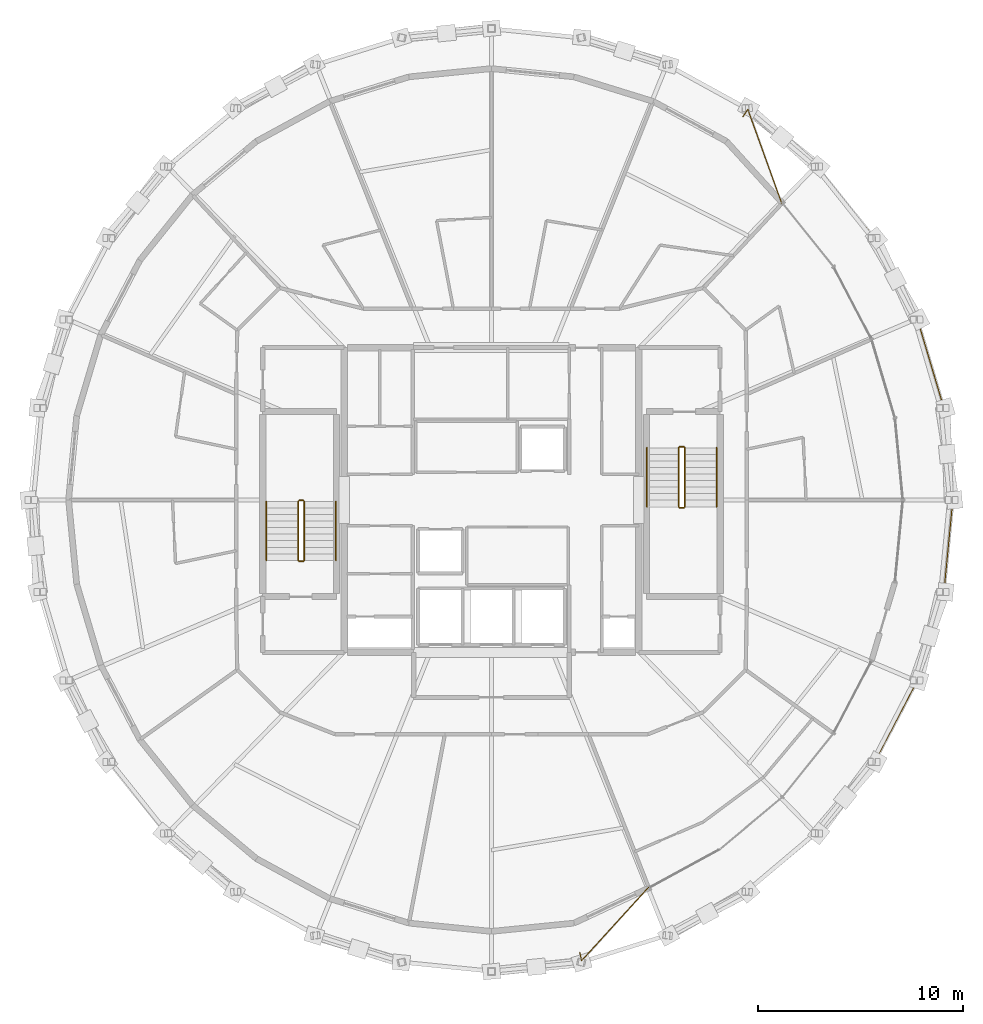
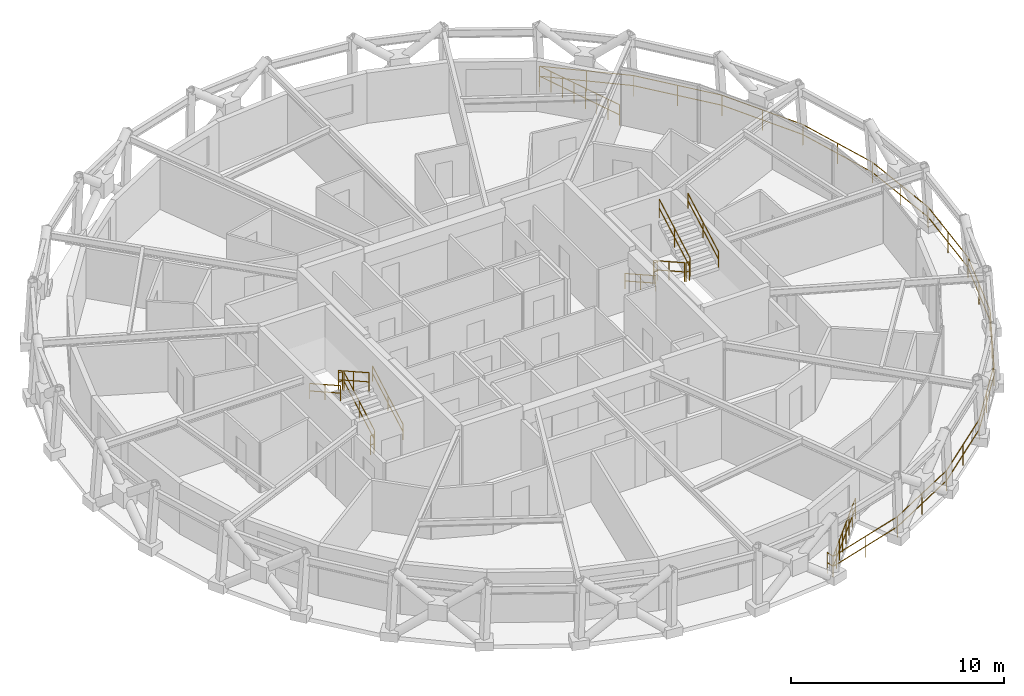
# One storey, part 15 of 15: 15 railings.
"""IFC4 building model written with IfcOpenShell, lengths in metres."""

from ifc_helpers import new_model, si_unit, direction, frame, origin, origin_2d, place, context, subcontext, project, spatial, circle, extrude, material, type_object, element, save


model = new_model("IFC4")

# Units and contexts
model_context = context("Model", 3, precision=1e-05, world=origin(), true_north=direction((0.0, 1.0)))
body_context = subcontext(model_context, "Body", "Model", "MODEL_VIEW")
ifc_project = project(units=[si_unit("LENGTHUNIT", "METRE"), si_unit("AREAUNIT", "SQUARE_METRE"), si_unit("VOLUMEUNIT", "CUBIC_METRE"), si_unit("PLANEANGLEUNIT", "RADIAN"), si_unit("MASSUNIT", "GRAM", prefix="KILO")], contexts=[model_context])

# Site, building, storey
site_placement = place(None, origin())
site = spatial("IfcSite", under=ifc_project, at=site_placement, CompositionType="ELEMENT")
building_placement = place(site_placement, origin())
building = spatial("IfcBuilding", under=site, at=building_placement, Name="Veldorina Hangang Commons", CompositionType="ELEMENT")
storey_placement = place(building_placement, frame((0.0, 0.0, 254.39990234375)))
storey = spatial("IfcBuildingStorey", under=building, at=storey_placement, Name="L66", CompositionType="ELEMENT", Elevation=254.39990234375)

# Railings
ifc_material_1 = material(Name="Glass Laminated Safety Balustrade", Category="glass")
railing_type_1 = type_object("IfcRailingType", Name="RL-BAL-LOGGIA", PredefinedType="BALUSTRADE", material=ifc_material_1)
railing_1_placement = place(storey_placement, frame((36.319091796875, 1.887939453125, 0.0)))
element("IfcRailing", 1, at=railing_1_placement, inside=storey, type_object=railing_type_1, Name="L66 sky-garden loggia end balustrade A", PredefinedType="BALUSTRADE", context=body_context, shape_type="SweptSolid", body=[
    extrude(circle(Radius=0.02392578125, at=origin_2d()), frame((0.0, 0.0, 1.17578125), z_axis=(0.191305422637, -0.981530557481, 0.0), x_axis=(0.981530557481, 0.191305422637, 0.0)), (0.0, 0.0, 1.0), 0.419921875),
    extrude(circle(Radius=0.02392578125, at=origin_2d()), frame((0.0, 0.0, 0.60009765625), z_axis=(0.191305422637, -0.981530557481, 0.0), x_axis=(0.981530557481, 0.191305422637, 0.0)), (0.0, 0.0, 1.0), 0.419921875),
    extrude(circle(Radius=0.02392578125, at=origin_2d()), frame((0.080322265625, -0.412109375, 1.17578125), z_axis=(0.673819881221, 0.738895640583, 0.0), x_axis=(-0.738895640583, 0.673819881221, 0.0)), (0.0, 0.0, 1.0), 4.86962890625),
    extrude(circle(Radius=0.02392578125, at=origin_2d()), frame((0.080322265625, -0.412109375, 0.60009765625), z_axis=(0.673819881221, 0.738895640583, 0.0), x_axis=(-0.738895640583, 0.673819881221, 0.0)), (0.0, 0.0, 1.0), 4.86962890625),
    extrude(circle(Radius=0.02099609375, at=origin_2d()), origin(), (0.0, 0.0, 1.0), 1.15185546875),
    extrude(circle(Radius=0.02099609375, at=origin_2d()), frame((0.080322265625, -0.412109375, 0.0)), (0.0, 0.0, 1.0), 1.15185546875),
    extrude(circle(Radius=0.02099609375, at=origin_2d()), frame((0.549072265625, 0.101806640625, 0.0)), (0.0, 0.0, 1.0), 1.15185546875),
    extrude(circle(Radius=0.02099609375, at=origin_2d()), frame((1.017822265625, 0.615966796875, 0.0)), (0.0, 0.0, 1.0), 1.15185546875),
    extrude(circle(Radius=0.02099609375, at=origin_2d()), frame((1.486572265625, 1.1298828125, 0.0)), (0.0, 0.0, 1.0), 1.15185546875),
    extrude(circle(Radius=0.02099609375, at=origin_2d()), frame((1.955322265625, 1.64404296875, 0.0)), (0.0, 0.0, 1.0), 1.15185546875),
    extrude(circle(Radius=0.02099609375, at=origin_2d()), frame((2.424072265625, 2.157958984375, 0.0)), (0.0, 0.0, 1.0), 1.15185546875),
    extrude(circle(Radius=0.02099609375, at=origin_2d()), frame((2.892822265625, 2.672119140625, 0.0)), (0.0, 0.0, 1.0), 1.15185546875),
    extrude(circle(Radius=0.02099609375, at=origin_2d()), frame((3.361572265625, 3.18603515625, 0.0)), (0.0, 0.0, 1.0), 1.15185546875),
])
railing_2_placement = place(storey_placement, frame((44.298095703125, 42.74365234375, 0.0)))
element("IfcRailing", 2, at=railing_2_placement, inside=storey, type_object=railing_type_1, Name="L66 sky-garden loggia end balustrade B", PredefinedType="BALUSTRADE", context=body_context, shape_type="SweptSolid", body=[
    extrude(circle(Radius=0.02392578125, at=origin_2d()), frame((0.0, 0.0, 1.17578125), z_axis=(0.548376961849, 0.836231252533, 0.0), x_axis=(-0.836231252533, 0.548376961849, 0.0)), (0.0, 0.0, 1.0), 0.419921875),
    extrude(circle(Radius=0.02392578125, at=origin_2d()), frame((0.0, 0.0, 0.60009765625), z_axis=(0.548376961849, 0.836231252533, 0.0), x_axis=(-0.836231252533, 0.548376961849, 0.0)), (0.0, 0.0, 1.0), 0.419921875),
    extrude(circle(Radius=0.02392578125, at=origin_2d()), frame((0.230224609375, 0.35107421875, 1.17578125), z_axis=(0.339417972265, -0.94063565747, 0.0), x_axis=(0.94063565747, 0.339417972265, 0.0)), (0.0, 0.0, 1.0), 4.900634765625),
    extrude(circle(Radius=0.02392578125, at=origin_2d()), frame((0.230224609375, 0.35107421875, 0.60009765625), z_axis=(0.339417972265, -0.94063565747, 0.0), x_axis=(0.94063565747, 0.339417972265, 0.0)), (0.0, 0.0, 1.0), 4.900634765625),
    extrude(circle(Radius=0.02099609375, at=origin_2d()), origin(), (0.0, 0.0, 1.0), 1.15185546875),
    extrude(circle(Radius=0.02099609375, at=origin_2d()), frame((0.230224609375, 0.35107421875, 0.0)), (0.0, 0.0, 1.0), 1.15185546875),
    extrude(circle(Radius=0.02099609375, at=origin_2d()), frame((0.4677734375, -0.307373046875, 0.0)), (0.0, 0.0, 1.0), 1.15185546875),
    extrude(circle(Radius=0.02099609375, at=origin_2d()), frame((0.70556640625, -0.966064453125, 0.0)), (0.0, 0.0, 1.0), 1.15185546875),
    extrude(circle(Radius=0.02099609375, at=origin_2d()), frame((0.943115234375, -1.62451171875, 0.0)), (0.0, 0.0, 1.0), 1.15185546875),
    extrude(circle(Radius=0.02099609375, at=origin_2d()), frame((1.1806640625, -2.282958984375, 0.0)), (0.0, 0.0, 1.0), 1.15185546875),
    extrude(circle(Radius=0.02099609375, at=origin_2d()), frame((1.418212890625, -2.94140625, 0.0)), (0.0, 0.0, 1.0), 1.15185546875),
    extrude(circle(Radius=0.02099609375, at=origin_2d()), frame((1.656005859375, -3.60009765625, 0.0)), (0.0, 0.0, 1.0), 1.15185546875),
    extrude(circle(Radius=0.02099609375, at=origin_2d()), frame((1.8935546875, -4.258544921875, 0.0)), (0.0, 0.0, 1.0), 1.15185546875),
])
railing_3_placement = place(storey_placement, frame((36.3994140625, 1.475830078125, 0.0)))
element("IfcRailing", 3, at=railing_3_placement, inside=storey, type_object=railing_type_1, Name="L66 sky-garden loggia outer balustrade", PredefinedType="BALUSTRADE", context=body_context, shape_type="SweptSolid", body=[
    extrude(circle(Radius=0.02392578125, at=origin_2d()), frame((0.0, 0.0, 1.17578125), z_axis=(0.955448168361, 0.295158936128, 0.0), x_axis=(-0.295158936128, 0.955448168361, 0.0)), (0.0, 0.0, 1.0), 4.427734375),
    extrude(circle(Radius=0.02392578125, at=origin_2d()), frame((0.0, 0.0, 0.60009765625), z_axis=(0.955448168361, 0.295158936128, 0.0), x_axis=(-0.295158936128, 0.955448168361, 0.0)), (0.0, 0.0, 1.0), 4.427734375),
    extrude(circle(Radius=0.02392578125, at=origin_2d()), frame((4.23046875, 1.306884765625, 1.17578125), z_axis=(0.878261058098, 0.478181465375, 0.0), x_axis=(-0.478181465375, 0.878261058098, 0.0)), (0.0, 0.0, 1.0), 4.438720703125),
    extrude(circle(Radius=0.02392578125, at=origin_2d()), frame((4.23046875, 1.306884765625, 0.60009765625), z_axis=(0.878261058098, 0.478181465375, 0.0), x_axis=(-0.478181465375, 0.878261058098, 0.0)), (0.0, 0.0, 1.0), 4.438720703125),
    extrude(circle(Radius=0.02392578125, at=origin_2d()), frame((8.12890625, 3.429443359375, 1.17578125), z_axis=(0.767258818636, 0.641337590685, 0.0), x_axis=(-0.641337590685, 0.767258818636, 0.0)), (0.0, 0.0, 1.0), 4.45361328125),
    extrude(circle(Radius=0.02392578125, at=origin_2d()), frame((8.12890625, 3.429443359375, 0.60009765625), z_axis=(0.767258818636, 0.641337590685, 0.0), x_axis=(-0.641337590685, 0.767258818636, 0.0)), (0.0, 0.0, 1.0), 4.45361328125),
    extrude(circle(Radius=0.02392578125, at=origin_2d()), frame((11.5458984375, 6.28564453125, 1.17578125), z_axis=(0.627455594767, 0.778652346427, 0.0), x_axis=(-0.778652346427, 0.627455594767, 0.0)), (0.0, 0.0, 1.0), 4.469482421875),
    extrude(circle(Radius=0.02392578125, at=origin_2d()), frame((11.5458984375, 6.28564453125, 0.60009765625), z_axis=(0.627455594767, 0.778652346427, 0.0), x_axis=(-0.778652346427, 0.627455594767, 0.0)), (0.0, 0.0, 1.0), 4.469482421875),
    extrude(circle(Radius=0.02392578125, at=origin_2d()), frame((14.350341796875, 9.765869140625, 1.17578125), z_axis=(0.464682358604, 0.885477444999, 0.0), x_axis=(-0.885477444999, 0.464682358604, 0.0)), (0.0, 0.0, 1.0), 4.483642578125),
    extrude(circle(Radius=0.02392578125, at=origin_2d()), frame((14.350341796875, 9.765869140625, 0.60009765625), z_axis=(0.464682358604, 0.885477444999, 0.0), x_axis=(-0.885477444999, 0.464682358604, 0.0)), (0.0, 0.0, 1.0), 4.483642578125),
    extrude(circle(Radius=0.02392578125, at=origin_2d()), frame((16.433837890625, 13.736083984375, 1.17578125), z_axis=(0.285463849791, 0.958389477437, 0.0), x_axis=(-0.958389477437, 0.285463849791, 0.0)), (0.0, 0.0, 1.0), 4.4951171875),
    extrude(circle(Radius=0.02392578125, at=origin_2d()), frame((16.433837890625, 13.736083984375, 0.60009765625), z_axis=(0.285463849791, 0.958389477437, 0.0), x_axis=(-0.958389477437, 0.285463849791, 0.0)), (0.0, 0.0, 1.0), 4.4951171875),
    extrude(circle(Radius=0.02392578125, at=origin_2d()), frame((17.717041015625, 18.044189453125, 1.17578125), z_axis=(0.096227116174, 0.995359403488, 0.0), x_axis=(-0.995359403488, 0.096227116174, 0.0)), (0.0, 0.0, 1.0), 4.5009765625),
    extrude(circle(Radius=0.02392578125, at=origin_2d()), frame((17.717041015625, 18.044189453125, 0.60009765625), z_axis=(0.096227116174, 0.995359403488, 0.0), x_axis=(-0.995359403488, 0.096227116174, 0.0)), (0.0, 0.0, 1.0), 4.5009765625),
    extrude(circle(Radius=0.02392578125, at=origin_2d()), frame((18.150146484375, 22.524169921875, 1.17578125), z_axis=(-0.096227116174, 0.995359403488, 0.0), x_axis=(-0.995359403488, -0.096227116174, 0.0)), (0.0, 0.0, 1.0), 4.5009765625),
    extrude(circle(Radius=0.02392578125, at=origin_2d()), frame((18.150146484375, 22.524169921875, 0.60009765625), z_axis=(-0.096227116174, 0.995359403488, 0.0), x_axis=(-0.995359403488, -0.096227116174, 0.0)), (0.0, 0.0, 1.0), 4.5009765625),
    extrude(circle(Radius=0.02392578125, at=origin_2d()), frame((17.717041015625, 27.004150390625, 1.17578125), z_axis=(-0.285463849791, 0.958389477437, 0.0), x_axis=(-0.958389477437, -0.285463849791, 0.0)), (0.0, 0.0, 1.0), 4.4951171875),
    extrude(circle(Radius=0.02392578125, at=origin_2d()), frame((17.717041015625, 27.004150390625, 0.60009765625), z_axis=(-0.285463849791, 0.958389477437, 0.0), x_axis=(-0.958389477437, -0.285463849791, 0.0)), (0.0, 0.0, 1.0), 4.4951171875),
    extrude(circle(Radius=0.02392578125, at=origin_2d()), frame((16.433837890625, 31.312255859375, 1.17578125), z_axis=(-0.464682358604, 0.885477444999, 0.0), x_axis=(-0.885477444999, -0.464682358604, 0.0)), (0.0, 0.0, 1.0), 4.483642578125),
    extrude(circle(Radius=0.02392578125, at=origin_2d()), frame((16.433837890625, 31.312255859375, 0.60009765625), z_axis=(-0.464682358604, 0.885477444999, 0.0), x_axis=(-0.885477444999, -0.464682358604, 0.0)), (0.0, 0.0, 1.0), 4.483642578125),
    extrude(circle(Radius=0.02392578125, at=origin_2d()), frame((14.350341796875, 35.282470703125, 1.17578125), z_axis=(-0.627455594767, 0.778652346427, 0.0), x_axis=(-0.778652346427, -0.627455594767, 0.0)), (0.0, 0.0, 1.0), 4.469482421875),
    extrude(circle(Radius=0.02392578125, at=origin_2d()), frame((14.350341796875, 35.282470703125, 0.60009765625), z_axis=(-0.627455594767, 0.778652346427, 0.0), x_axis=(-0.778652346427, -0.627455594767, 0.0)), (0.0, 0.0, 1.0), 4.469482421875),
    extrude(circle(Radius=0.02392578125, at=origin_2d()), frame((11.5458984375, 38.7626953125, 1.17578125), z_axis=(-0.767258818636, 0.641337590685, 0.0), x_axis=(-0.641337590685, -0.767258818636, 0.0)), (0.0, 0.0, 1.0), 4.45361328125),
    extrude(circle(Radius=0.02392578125, at=origin_2d()), frame((11.5458984375, 38.7626953125, 0.60009765625), z_axis=(-0.767258818636, 0.641337590685, 0.0), x_axis=(-0.641337590685, -0.767258818636, 0.0)), (0.0, 0.0, 1.0), 4.45361328125),
    extrude(circle(Radius=0.02099609375, at=origin_2d()), origin(), (0.0, 0.0, 1.0), 1.15185546875),
    extrude(circle(Radius=0.02099609375, at=origin_2d()), frame((2.115234375, 0.6533203125, 0.0)), (0.0, 0.0, 1.0), 1.15185546875),
    extrude(circle(Radius=0.02099609375, at=origin_2d()), frame((4.23046875, 1.306884765625, 0.0)), (0.0, 0.0, 1.0), 1.15185546875),
    extrude(circle(Radius=0.02099609375, at=origin_2d()), frame((6.1796875, 2.3681640625, 0.0)), (0.0, 0.0, 1.0), 1.15185546875),
    extrude(circle(Radius=0.02099609375, at=origin_2d()), frame((8.12890625, 3.429443359375, 0.0)), (0.0, 0.0, 1.0), 1.15185546875),
    extrude(circle(Radius=0.02099609375, at=origin_2d()), frame((9.83740234375, 4.857421875, 0.0)), (0.0, 0.0, 1.0), 1.15185546875),
    extrude(circle(Radius=0.02099609375, at=origin_2d()), frame((11.5458984375, 6.28564453125, 0.0)), (0.0, 0.0, 1.0), 1.15185546875),
    extrude(circle(Radius=0.02099609375, at=origin_2d()), frame((12.9482421875, 8.02587890625, 0.0)), (0.0, 0.0, 1.0), 1.15185546875),
    extrude(circle(Radius=0.02099609375, at=origin_2d()), frame((14.350341796875, 9.765869140625, 0.0)), (0.0, 0.0, 1.0), 1.15185546875),
    extrude(circle(Radius=0.02099609375, at=origin_2d()), frame((15.39208984375, 11.7509765625, 0.0)), (0.0, 0.0, 1.0), 1.15185546875),
    extrude(circle(Radius=0.02099609375, at=origin_2d()), frame((16.433837890625, 13.736083984375, 0.0)), (0.0, 0.0, 1.0), 1.15185546875),
    extrude(circle(Radius=0.02099609375, at=origin_2d()), frame((17.075439453125, 15.89013671875, 0.0)), (0.0, 0.0, 1.0), 1.15185546875),
    extrude(circle(Radius=0.02099609375, at=origin_2d()), frame((17.717041015625, 18.044189453125, 0.0)), (0.0, 0.0, 1.0), 1.15185546875),
    extrude(circle(Radius=0.02099609375, at=origin_2d()), frame((17.93359375, 20.2841796875, 0.0)), (0.0, 0.0, 1.0), 1.15185546875),
    extrude(circle(Radius=0.02099609375, at=origin_2d()), frame((18.150146484375, 22.524169921875, 0.0)), (0.0, 0.0, 1.0), 1.15185546875),
    extrude(circle(Radius=0.02099609375, at=origin_2d()), frame((17.93359375, 24.76416015625, 0.0)), (0.0, 0.0, 1.0), 1.15185546875),
    extrude(circle(Radius=0.02099609375, at=origin_2d()), frame((17.717041015625, 27.004150390625, 0.0)), (0.0, 0.0, 1.0), 1.15185546875),
    extrude(circle(Radius=0.02099609375, at=origin_2d()), frame((17.075439453125, 29.158203125, 0.0)), (0.0, 0.0, 1.0), 1.15185546875),
    extrude(circle(Radius=0.02099609375, at=origin_2d()), frame((16.433837890625, 31.312255859375, 0.0)), (0.0, 0.0, 1.0), 1.15185546875),
    extrude(circle(Radius=0.02099609375, at=origin_2d()), frame((15.39208984375, 33.29736328125, 0.0)), (0.0, 0.0, 1.0), 1.15185546875),
    extrude(circle(Radius=0.02099609375, at=origin_2d()), frame((14.350341796875, 35.282470703125, 0.0)), (0.0, 0.0, 1.0), 1.15185546875),
    extrude(circle(Radius=0.02099609375, at=origin_2d()), frame((12.9482421875, 37.0224609375, 0.0)), (0.0, 0.0, 1.0), 1.15185546875),
    extrude(circle(Radius=0.02099609375, at=origin_2d()), frame((11.5458984375, 38.7626953125, 0.0)), (0.0, 0.0, 1.0), 1.15185546875),
    extrude(circle(Radius=0.02099609375, at=origin_2d()), frame((9.83740234375, 40.19091796875, 0.0)), (0.0, 0.0, 1.0), 1.15185546875),
    extrude(circle(Radius=0.02099609375, at=origin_2d()), frame((8.12890625, 41.618896484375, 0.0)), (0.0, 0.0, 1.0), 1.15185546875),
])
ifc_material_2 = material(Name="Steel Painted Balustrade", Category="steel")
railing_type_2 = type_object("IfcRailingType", Name="RL-GRD-STAIR", PredefinedType="GUARDRAIL", material=ifc_material_2)
railing_4_placement = place(storey_placement, frame((22.85009765625, 21.050048828125, 0.18017578125)))
element("IfcRailing", 4, at=railing_4_placement, inside=storey, type_object=railing_type_2, Name="L66 ST-1 stair guard 1", PredefinedType="GUARDRAIL", context=body_context, shape_type="SweptSolid", body=[
    extrude(circle(Radius=0.02392578125, at=origin_2d()), frame((0.0, 0.0, 1.076171875), z_axis=(0.0, 0.871583430097, 0.490247207417), x_axis=(-1.0, 0.0, 0.0)), (0.0, 0.0, 1.0), 3.30419921875),
    extrude(circle(Radius=0.02392578125, at=origin_2d()), frame((0.0, 0.0, 0.550048828125), z_axis=(0.0, 0.871583430097, 0.490247207417), x_axis=(-1.0, 0.0, 0.0)), (0.0, 0.0, 1.0), 3.30419921875),
    extrude(circle(Radius=0.02099609375, at=origin_2d()), origin(), (0.0, 0.0, 1.0), 1.052001953125),
    extrude(circle(Radius=0.02099609375, at=origin_2d()), frame((0.0, 1.43994140625, 0.81005859375)), (0.0, 0.0, 1.0), 1.052001953125),
    extrude(circle(Radius=0.02099609375, at=origin_2d()), frame((0.0, 2.8798828125, 1.619873046875)), (0.0, 0.0, 1.0), 1.052001953125),
])
railing_5_placement = place(storey_placement, frame((22.800048828125, 23.97998046875, 1.800048828125)))
element("IfcRailing", 5, at=railing_5_placement, inside=storey, type_object=railing_type_2, Name="L66 ST-1 stair guard 2", PredefinedType="GUARDRAIL", context=body_context, shape_type="SweptSolid", body=[
    extrude(circle(Radius=0.02392578125, at=origin_2d()), frame((0.0, 0.0, 1.076171875), z_axis=(-1.0, 0.0, 0.0), x_axis=(0.0, -1.0, 0.0)), (0.0, 0.0, 1.0), 0.199951171875),
    extrude(circle(Radius=0.02392578125, at=origin_2d()), frame((0.0, 0.0, 0.550048828125), z_axis=(-1.0, 0.0, 0.0), x_axis=(0.0, -1.0, 0.0)), (0.0, 0.0, 1.0), 0.199951171875),
    extrude(circle(Radius=0.02099609375, at=origin_2d()), origin(), (0.0, 0.0, 1.0), 1.052001953125),
    extrude(circle(Radius=0.02099609375, at=origin_2d()), frame((-0.199951171875, 0.0, 0.0)), (0.0, 0.0, 1.0), 1.052001953125),
])
railing_6_placement = place(storey_placement, frame((22.550048828125, 23.929931640625, 1.97998046875)))
element("IfcRailing", 6, at=railing_6_placement, inside=storey, type_object=railing_type_2, Name="L66 ST-1 stair guard 3", PredefinedType="GUARDRAIL", context=body_context, shape_type="SweptSolid", body=[
    extrude(circle(Radius=0.02392578125, at=origin_2d()), frame((0.0, 0.0, 1.076171875), z_axis=(0.0, -0.87155185771, 0.490303333991), x_axis=(1.0, 0.0, 0.0)), (0.0, 0.0, 1.0), 3.30419921875),
    extrude(circle(Radius=0.02392578125, at=origin_2d()), frame((0.0, 0.0, 0.550048828125), z_axis=(0.0, -0.87155185771, 0.490303333991), x_axis=(1.0, 0.0, 0.0)), (0.0, 0.0, 1.0), 3.30419921875),
    extrude(circle(Radius=0.02099609375, at=origin_2d()), origin(), (0.0, 0.0, 1.0), 1.052001953125),
    extrude(circle(Radius=0.02099609375, at=origin_2d()), frame((0.0, -1.43994140625, 0.81005859375)), (0.0, 0.0, 1.0), 1.052001953125),
    extrude(circle(Radius=0.02099609375, at=origin_2d()), frame((0.0, -2.8798828125, 1.6201171875)), (0.0, 0.0, 1.0), 1.052001953125),
])
railing_7_placement = place(storey_placement, frame((22.800048828125, 21.0, 0.0)))
element("IfcRailing", 7, at=railing_7_placement, inside=storey, type_object=railing_type_2, Name="L66 ST-1 stair guard 4", PredefinedType="GUARDRAIL", context=body_context, shape_type="SweptSolid", body=[
    extrude(circle(Radius=0.02392578125, at=origin_2d()), frame((0.0, 0.0, 1.076171875), z_axis=(-1.0, 0.0, 0.0), x_axis=(0.0, -1.0, 0.0)), (0.0, 0.0, 1.0), 0.199951171875),
    extrude(circle(Radius=0.02392578125, at=origin_2d()), frame((0.0, 0.0, 0.550048828125), z_axis=(-1.0, 0.0, 0.0), x_axis=(0.0, -1.0, 0.0)), (0.0, 0.0, 1.0), 0.199951171875),
    extrude(circle(Radius=0.02099609375, at=origin_2d()), origin(), (0.0, 0.0, 1.0), 1.052001953125),
    extrude(circle(Radius=0.02099609375, at=origin_2d()), frame((-0.199951171875, 0.0, 0.0)), (0.0, 0.0, 1.0), 1.052001953125),
])
railing_8_placement = place(storey_placement, frame((41.14990234375, 26.550048828125, 0.18017578125)))
element("IfcRailing", 8, at=railing_8_placement, inside=storey, type_object=railing_type_2, Name="L66 ST-2 stair guard 1", PredefinedType="GUARDRAIL", context=body_context, shape_type="SweptSolid", body=[
    extrude(circle(Radius=0.02392578125, at=origin_2d()), frame((0.0, 0.0, 1.076171875), z_axis=(0.0, -0.871601186807, 0.490215637405), x_axis=(1.0, 0.0, 0.0)), (0.0, 0.0, 1.0), 3.304443359375),
    extrude(circle(Radius=0.02392578125, at=origin_2d()), frame((0.0, 0.0, 0.550048828125), z_axis=(0.0, -0.871601186807, 0.490215637405), x_axis=(1.0, 0.0, 0.0)), (0.0, 0.0, 1.0), 3.304443359375),
    extrude(circle(Radius=0.02099609375, at=origin_2d()), origin(), (0.0, 0.0, 1.0), 1.052001953125),
    extrude(circle(Radius=0.02099609375, at=origin_2d()), frame((0.0, -1.43994140625, 0.81005859375)), (0.0, 0.0, 1.0), 1.052001953125),
    extrude(circle(Radius=0.02099609375, at=origin_2d()), frame((0.0, -2.880126953125, 1.619873046875)), (0.0, 0.0, 1.0), 1.052001953125),
])
railing_9_placement = place(storey_placement, frame((41.199951171875, 23.6201171875, 1.800048828125)))
element("IfcRailing", 9, at=railing_9_placement, inside=storey, type_object=railing_type_2, Name="L66 ST-2 stair guard 2", PredefinedType="GUARDRAIL", context=body_context, shape_type="SweptSolid", body=[
    extrude(circle(Radius=0.02392578125, at=origin_2d()), frame((0.0, 0.0, 1.076171875), z_axis=(1.0, 0.0, 0.0), x_axis=(0.0, 1.0, 0.0)), (0.0, 0.0, 1.0), 0.199951171875),
    extrude(circle(Radius=0.02392578125, at=origin_2d()), frame((0.0, 0.0, 0.550048828125), z_axis=(1.0, 0.0, 0.0), x_axis=(0.0, 1.0, 0.0)), (0.0, 0.0, 1.0), 0.199951171875),
    extrude(circle(Radius=0.02099609375, at=origin_2d()), origin(), (0.0, 0.0, 1.0), 1.052001953125),
    extrude(circle(Radius=0.02099609375, at=origin_2d()), frame((0.199951171875, 0.0, 0.0)), (0.0, 0.0, 1.0), 1.052001953125),
])
railing_10_placement = place(storey_placement, frame((41.449951171875, 23.669921875, 1.97998046875)))
element("IfcRailing", 10, at=railing_10_placement, inside=storey, type_object=railing_type_2, Name="L66 ST-2 stair guard 3", PredefinedType="GUARDRAIL", context=body_context, shape_type="SweptSolid", body=[
    extrude(circle(Radius=0.02392578125, at=origin_2d()), frame((0.0, 0.0, 1.076171875), z_axis=(0.0, 0.871569617843, 0.490271762652), x_axis=(-1.0, 0.0, 0.0)), (0.0, 0.0, 1.0), 3.304443359375),
    extrude(circle(Radius=0.02392578125, at=origin_2d()), frame((0.0, 0.0, 0.550048828125), z_axis=(0.0, 0.871569617843, 0.490271762652), x_axis=(-1.0, 0.0, 0.0)), (0.0, 0.0, 1.0), 3.304443359375),
    extrude(circle(Radius=0.02099609375, at=origin_2d()), origin(), (0.0, 0.0, 1.0), 1.052001953125),
    extrude(circle(Radius=0.02099609375, at=origin_2d()), frame((0.0, 1.43994140625, 0.81005859375)), (0.0, 0.0, 1.0), 1.052001953125),
    extrude(circle(Radius=0.02099609375, at=origin_2d()), frame((0.0, 2.880126953125, 1.6201171875)), (0.0, 0.0, 1.0), 1.052001953125),
])
railing_11_placement = place(storey_placement, frame((41.199951171875, 26.60009765625, 0.0)))
element("IfcRailing", 11, at=railing_11_placement, inside=storey, type_object=railing_type_2, Name="L66 ST-2 stair guard 4", PredefinedType="GUARDRAIL", context=body_context, shape_type="SweptSolid", body=[
    extrude(circle(Radius=0.02392578125, at=origin_2d()), frame((0.0, 0.0, 1.076171875), z_axis=(1.0, 0.0, 0.0), x_axis=(0.0, 1.0, 0.0)), (0.0, 0.0, 1.0), 0.199951171875),
    extrude(circle(Radius=0.02392578125, at=origin_2d()), frame((0.0, 0.0, 0.550048828125), z_axis=(1.0, 0.0, 0.0), x_axis=(0.0, 1.0, 0.0)), (0.0, 0.0, 1.0), 0.199951171875),
    extrude(circle(Radius=0.02099609375, at=origin_2d()), origin(), (0.0, 0.0, 1.0), 1.052001953125),
    extrude(circle(Radius=0.02099609375, at=origin_2d()), frame((0.199951171875, 0.0, 0.0)), (0.0, 0.0, 1.0), 1.052001953125),
])
ifc_material_3 = material(Name="Stainless Steel Brushed 316", Category="steel")
railing_type_3 = type_object("IfcRailingType", Name="RL-HND-STAIR", PredefinedType="HANDRAIL", material=ifc_material_3)
railing_12_placement = place(storey_placement, frame((24.39990234375, 21.050048828125, 0.18017578125)))
element("IfcRailing", 12, at=railing_12_placement, inside=storey, type_object=railing_type_3, Name="L66 ST-1 stair handrail 1", PredefinedType="HANDRAIL", context=body_context, shape_type="SweptSolid", body=[
    extrude(circle(Radius=0.02392578125, at=origin_2d()), frame((0.0, 0.0, 0.8759765625), z_axis=(0.0, 0.871583430097, 0.490247207417), x_axis=(-1.0, 0.0, 0.0)), (0.0, 0.0, 1.0), 3.30419921875),
    extrude(circle(Radius=0.02392578125, at=origin_2d()), frame((0.0, 0.0, 0.449951171875), z_axis=(0.0, 0.871583430097, 0.490247207417), x_axis=(-1.0, 0.0, 0.0)), (0.0, 0.0, 1.0), 3.30419921875),
    extrude(circle(Radius=0.02099609375, at=origin_2d()), origin(), (0.0, 0.0, 1.0), 0.851806640625),
    extrude(circle(Radius=0.02099609375, at=origin_2d()), frame((0.0, 1.43994140625, 0.81005859375)), (0.0, 0.0, 1.0), 0.851806640625),
    extrude(circle(Radius=0.02099609375, at=origin_2d()), frame((0.0, 2.8798828125, 1.619873046875)), (0.0, 0.0, 1.0), 0.851806640625),
])
railing_13_placement = place(storey_placement, frame((21.0, 23.929931640625, 1.97998046875)))
element("IfcRailing", 13, at=railing_13_placement, inside=storey, type_object=railing_type_3, Name="L66 ST-1 stair handrail 2", PredefinedType="HANDRAIL", context=body_context, shape_type="SweptSolid", body=[
    extrude(circle(Radius=0.02392578125, at=origin_2d()), frame((0.0, 0.0, 0.8759765625), z_axis=(0.0, -0.87155185771, 0.490303333991), x_axis=(1.0, 0.0, 0.0)), (0.0, 0.0, 1.0), 3.30419921875),
    extrude(circle(Radius=0.02392578125, at=origin_2d()), frame((0.0, 0.0, 0.449951171875), z_axis=(0.0, -0.87155185771, 0.490303333991), x_axis=(1.0, 0.0, 0.0)), (0.0, 0.0, 1.0), 3.30419921875),
    extrude(circle(Radius=0.02099609375, at=origin_2d()), origin(), (0.0, 0.0, 1.0), 0.851806640625),
    extrude(circle(Radius=0.02099609375, at=origin_2d()), frame((0.0, -1.43994140625, 0.81005859375)), (0.0, 0.0, 1.0), 0.851806640625),
    extrude(circle(Radius=0.02099609375, at=origin_2d()), frame((0.0, -2.8798828125, 1.6201171875)), (0.0, 0.0, 1.0), 0.851806640625),
])
railing_14_placement = place(storey_placement, frame((39.60009765625, 26.550048828125, 0.18017578125)))
element("IfcRailing", 14, at=railing_14_placement, inside=storey, type_object=railing_type_3, Name="L66 ST-2 stair handrail 1", PredefinedType="HANDRAIL", context=body_context, shape_type="SweptSolid", body=[
    extrude(circle(Radius=0.02392578125, at=origin_2d()), frame((0.0, 0.0, 0.8759765625), z_axis=(0.0, -0.871601186807, 0.490215637405), x_axis=(1.0, 0.0, 0.0)), (0.0, 0.0, 1.0), 3.304443359375),
    extrude(circle(Radius=0.02392578125, at=origin_2d()), frame((0.0, 0.0, 0.449951171875), z_axis=(0.0, -0.871601186807, 0.490215637405), x_axis=(1.0, 0.0, 0.0)), (0.0, 0.0, 1.0), 3.304443359375),
    extrude(circle(Radius=0.02099609375, at=origin_2d()), origin(), (0.0, 0.0, 1.0), 0.851806640625),
    extrude(circle(Radius=0.02099609375, at=origin_2d()), frame((0.0, -1.43994140625, 0.81005859375)), (0.0, 0.0, 1.0), 0.851806640625),
    extrude(circle(Radius=0.02099609375, at=origin_2d()), frame((0.0, -2.880126953125, 1.619873046875)), (0.0, 0.0, 1.0), 0.851806640625),
])
railing_15_placement = place(storey_placement, frame((43.0, 23.669921875, 1.97998046875)))
element("IfcRailing", 15, at=railing_15_placement, inside=storey, type_object=railing_type_3, Name="L66 ST-2 stair handrail 2", PredefinedType="HANDRAIL", context=body_context, shape_type="SweptSolid", body=[
    extrude(circle(Radius=0.02392578125, at=origin_2d()), frame((0.0, 0.0, 0.8759765625), z_axis=(0.0, 0.871569617843, 0.490271762652), x_axis=(-1.0, 0.0, 0.0)), (0.0, 0.0, 1.0), 3.304443359375),
    extrude(circle(Radius=0.02392578125, at=origin_2d()), frame((0.0, 0.0, 0.449951171875), z_axis=(0.0, 0.871569617843, 0.490271762652), x_axis=(-1.0, 0.0, 0.0)), (0.0, 0.0, 1.0), 3.304443359375),
    extrude(circle(Radius=0.02099609375, at=origin_2d()), origin(), (0.0, 0.0, 1.0), 0.851806640625),
    extrude(circle(Radius=0.02099609375, at=origin_2d()), frame((0.0, 1.43994140625, 0.81005859375)), (0.0, 0.0, 1.0), 0.851806640625),
    extrude(circle(Radius=0.02099609375, at=origin_2d()), frame((0.0, 2.880126953125, 1.6201171875)), (0.0, 0.0, 1.0), 0.851806640625),
])

save(model, "model.ifc")
